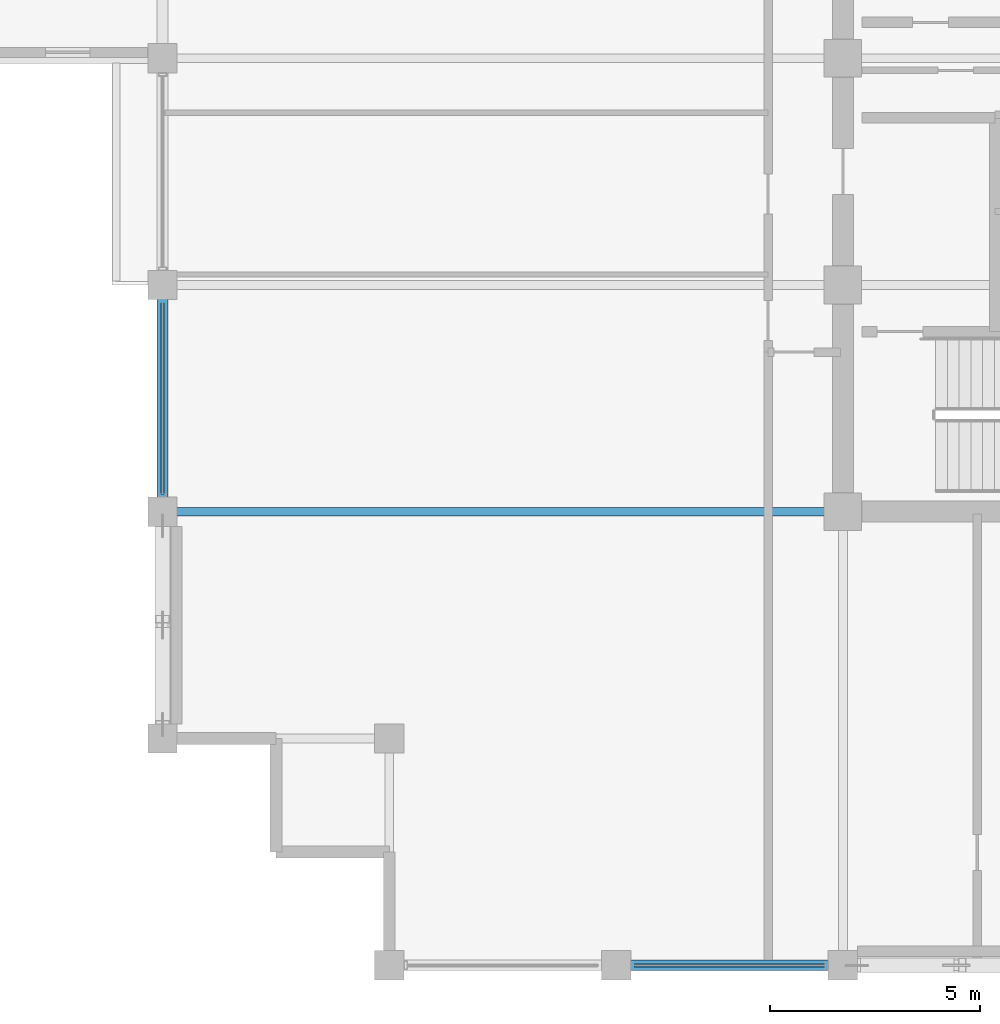
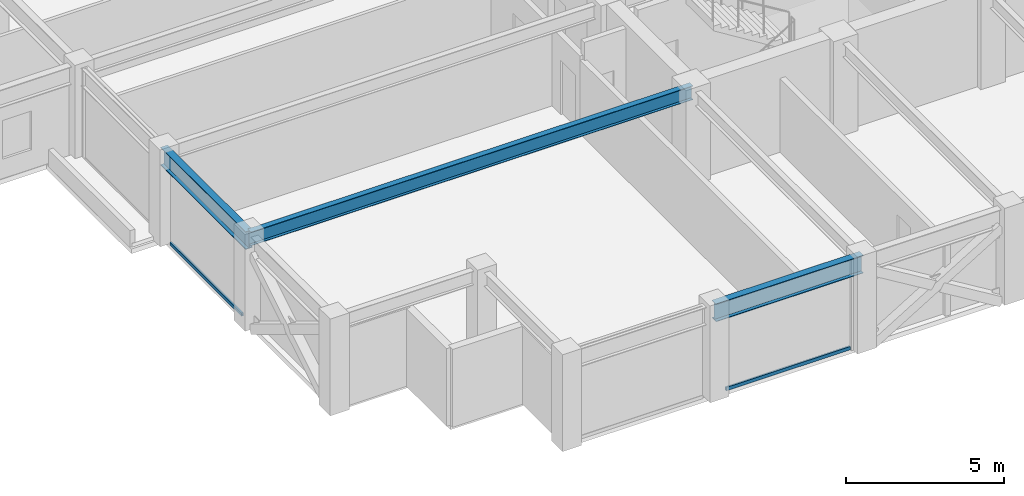
# One storey, part 3 of 31: 3 beams, 2 members, 2 elements without a shape of their own.
"""IFC4 building model written with IfcOpenShell, lengths in metres."""

import ifcopenshell
import ifcopenshell.guid

model = None  # the IFC model being written
_history = None  # IfcOwnerHistory: only IFC2X3 demands one
_inside = {}  # id of a spatial element -> (the spatial element, [elements in it])
_under = {}  # id of a project, library or spatial element -> (it, [spatial elements below it])
_declared = {}  # id of a project -> (the project, [libraries it declares])
_typed = {}  # id of a type object -> (the type object, [elements of that type])
_made_of = {}  # id of a material, layer set ... -> (it, [elements and type objects made of it])


def new_model(schema):
    """Start an empty IFC model of exactly this schema.

    Asked for "IFC4X3", IfcOpenShell would pick the latest addendum, in which some entities
    have other attributes; the version numbers below select the first issue.
    IFC2X3 requires an IfcOwnerHistory on every rooted entity: one is made here for all.
    """
    global model, _history
    if schema == "IFC4X3":
        model = ifcopenshell.file(schema_version=(4, 3, 0, 0))
    else:
        model = ifcopenshell.file(schema=schema)
    _inside.clear()
    _under.clear()
    _declared.clear()
    _typed.clear()
    _made_of.clear()
    _history = None
    if model.schema == "IFC2X3":
        org = make("IfcOrganization", Name="unknown")
        user = make(
            "IfcPersonAndOrganization",
            ThePerson=make("IfcPerson", FamilyName="unknown"),
            TheOrganization=org,
        )
        app = make(
            "IfcApplication",
            ApplicationDeveloper=org,
            Version="unknown",
            ApplicationFullName="unknown",
            ApplicationIdentifier="unknown",
        )
        _history = make(
            "IfcOwnerHistory",
            OwningUser=user,
            OwningApplication=app,
            ChangeAction="ADDED",
            CreationDate=0,
        )
    return model


def make(cls, **values):
    """One entity of the class cls with the attributes given. An attribute that is None is left unset."""
    return model.create_entity(
        cls, **{name: value for name, value in values.items() if value is not None}
    )


def rooted(cls, **values):
    """An entity with a GlobalId (a new one), such as an element, a storey or a relation."""
    return make(cls, GlobalId=ifcopenshell.guid.new(), OwnerHistory=_history, **values)


def si_unit(unit_type, name, prefix=None):
    """IfcSIUnit, for example si_unit("LENGTHUNIT", "METRE", prefix="MILLI")."""
    return make("IfcSIUnit", UnitType=unit_type, Prefix=prefix, Name=name)


def assignment(units):
    """IfcUnitAssignment: the units of a project."""
    return None if units is None else make("IfcUnitAssignment", Units=units)


def point(xyz):
    """IfcCartesianPoint."""
    return None if xyz is None else make("IfcCartesianPoint", Coordinates=xyz)


def direction(xyz):
    """IfcDirection."""
    return None if xyz is None else make("IfcDirection", DirectionRatios=xyz)


def frame(location, z_axis=None, x_axis=None):
    """IfcAxis2Placement3D, a coordinate frame: its origin and axes. An axis left out is left unset."""
    return make(
        "IfcAxis2Placement3D",
        Location=point(location),
        Axis=direction(z_axis),
        RefDirection=direction(x_axis),
    )


def frame_2d(location, x_axis=None):
    """IfcAxis2Placement2D, a coordinate frame in the plane: its origin and x axis."""
    return make(
        "IfcAxis2Placement2D", Location=point(location), RefDirection=direction(x_axis)
    )


def origin():
    """The frame at (0, 0, 0) with its axes left unset."""
    return frame((0.0, 0.0, 0.0))


def origin_2d():
    """The frame at (0, 0) in the plane with its x axis left unset."""
    return frame_2d((0.0, 0.0))


def place(relative_to, where):
    """IfcLocalPlacement: puts the frame where relative to a parent placement (None: the world)."""
    return make(
        "IfcLocalPlacement", PlacementRelTo=relative_to, RelativePlacement=where
    )


def context(
    kind, dimensions, precision=None, world=None, true_north=None, identifier=None
):
    """IfcGeometricRepresentationContext, for example the 3D "Model" context."""
    return make(
        "IfcGeometricRepresentationContext",
        ContextIdentifier=identifier,
        ContextType=kind,
        CoordinateSpaceDimension=dimensions,
        Precision=precision,
        WorldCoordinateSystem=world,
        TrueNorth=true_north,
    )


def subcontext(parent, identifier, kind, view, scale=None):
    """IfcGeometricRepresentationSubContext, for example "Body" below "Model"."""
    return make(
        "IfcGeometricRepresentationSubContext",
        ContextIdentifier=identifier,
        ContextType=kind,
        ParentContext=parent,
        TargetScale=scale,
        TargetView=view,
    )


def project(units=None, contexts=None):
    """IfcProject with its units and contexts."""
    return rooted(
        "IfcProject",
        Name="project",
        RepresentationContexts=contexts,
        UnitsInContext=assignment(units),
    )


def spatial(cls, under=None, at=None, **own):
    """A site, building, storey or space (cls), placed at a placement, below another one or the project."""
    s = rooted(cls, ObjectPlacement=at, **own)
    if under is not None:
        _under.setdefault(under.id(), (under, []))[1].append(s)
    return s


def profile(cls, at=None, kind="AREA", **sizes):
    """A parametric profile (cls). Its sizes go by their IFC names, for example OverallWidth=200.0."""
    return make(cls, ProfileType=kind, Position=at, **sizes)


def hollow_rectangle(**sizes):
    """IfcRectangleHollowProfileDef."""
    return profile("IfcRectangleHollowProfileDef", **sizes)


def i_section(**sizes):
    """IfcIShapeProfileDef."""
    return profile("IfcIShapeProfileDef", **sizes)


def extrude(swept, where, along, depth):
    """IfcExtrudedAreaSolid: the profile swept, set in the frame where, extruded along a direction by depth."""
    return make(
        "IfcExtrudedAreaSolid",
        SweptArea=swept,
        Position=where,
        ExtrudedDirection=direction(along),
        Depth=depth,
    )


def shape(context_of_items, identifier, shape_type, items):
    """IfcShapeRepresentation: the items that make up one representation, for example the "Body"."""
    return make(
        "IfcShapeRepresentation",
        ContextOfItems=context_of_items,
        RepresentationIdentifier=identifier,
        RepresentationType=shape_type,
        Items=items,
    )


def material(Name=None, Category=None):
    """IfcMaterial."""
    return make("IfcMaterial", Name=Name, Category=Category)


def layer(
    of_material, thickness, ventilated=None, Name=None, Category=None, Priority=None
):
    """IfcMaterialLayer: one layer of a wall or slab, of a material (None: an air gap)."""
    return make(
        "IfcMaterialLayer",
        Material=of_material,
        LayerThickness=thickness,
        IsVentilated=ventilated,
        Name=Name,
        Category=Category,
        Priority=Priority,
    )


def layer_set(layers, Name=None):
    """IfcMaterialLayerSet."""
    return make("IfcMaterialLayerSet", MaterialLayers=layers, LayerSetName=Name)


def material_profile(
    of_material, cross_section, Name=None, Category=None, Priority=None
):
    """IfcMaterialProfile: a cross section and its material."""
    return make(
        "IfcMaterialProfile",
        Name=Name,
        Material=of_material,
        Profile=cross_section,
        Priority=Priority,
        Category=Category,
    )


def profile_set(profiles, Name=None, composite=None):
    """IfcMaterialProfileSet."""
    return make(
        "IfcMaterialProfileSet",
        Name=Name,
        MaterialProfiles=profiles,
        CompositeProfile=composite,
    )


def made_of(thing, what):
    """Note that an element or type object is made of a material, layer set ...; save() writes the relation."""
    if what is not None:
        _made_of.setdefault(what.id(), (what, []))[1].append(thing)
    return thing


def type_object(cls, material=None, **own):
    """A type object (cls), such as IfcWallType, which elements share."""
    return made_of(rooted(cls, **own), material)


def element(
    cls,
    number,
    at=None,
    inside=None,
    cuts=None,
    type_object=None,
    material=None,
    context=None,
    identifier="Body",
    shape_type=None,
    held_by="IfcProductDefinitionShape",
    body=None,
    shapes=None,
    **own,
):
    """One element of the class cls, such as IfcWall. Its Tag is "e" and its number.

    at: its placement. inside: the storey or other place that contains it. cuts: it is an
    opening in that element (IfcRelVoidsElement). A single representation is given by context,
    identifier, shape_type and body (its items); several are given by shapes. held_by: the class
    of the entity that holds the representations. save() writes the other relations.
    """
    e = rooted(cls, Tag="e%d" % number, ObjectPlacement=at, **own)
    if body is not None:
        shapes = [shape(context, identifier, shape_type, body)]
    if shapes is not None:
        e.Representation = make(held_by, Representations=shapes)
    if inside is not None:
        _inside.setdefault(inside.id(), (inside, []))[1].append(e)
    if cuts is not None:
        rooted(
            "IfcRelVoidsElement", RelatingBuildingElement=cuts, RelatedOpeningElement=e
        )
    if type_object is not None:
        _typed.setdefault(type_object.id(), (type_object, []))[1].append(e)
    return made_of(e, material)


def aggregate(whole, parts):
    """IfcRelAggregates: a whole, such as a stair, and the parts it consists of."""
    return rooted("IfcRelAggregates", RelatingObject=whole, RelatedObjects=parts)


def save(model, path):
    """Write the relations noted so far, then the file.

    IfcRelAggregates (storeys below a building ...), IfcRelContainedInSpatialStructure (elements
    in a storey), IfcRelDefinesByType, IfcRelAssociatesMaterial and IfcRelDeclares: one each for
    every whole, place, type object, material and project.
    """
    for whole, parts in _under.values():
        aggregate(whole, parts)
    for where, things in _inside.values():
        rooted(
            "IfcRelContainedInSpatialStructure",
            RelatedElements=things,
            RelatingStructure=where,
        )
    for kind, things in _typed.values():
        rooted("IfcRelDefinesByType", RelatedObjects=things, RelatingType=kind)
    for what, things in _made_of.values():
        rooted("IfcRelAssociatesMaterial", RelatedObjects=things, RelatingMaterial=what)
    for by, libraries in _declared.values():
        rooted("IfcRelDeclares", RelatingContext=by, RelatedDefinitions=libraries)
    model.write(path)


model = new_model("IFC4")

# Units and contexts
model_context = context("Model", 3, precision=1e-05, world=origin(), true_north=direction((0.0, 1.0)))
body_context = subcontext(model_context, "Body", "Model", "MODEL_VIEW")
ifc_project = project(units=[si_unit("LENGTHUNIT", "METRE"), si_unit("AREAUNIT", "SQUARE_METRE"), si_unit("VOLUMEUNIT", "CUBIC_METRE"), si_unit("PLANEANGLEUNIT", "RADIAN"), si_unit("MASSUNIT", "GRAM", prefix="KILO")], contexts=[model_context])

# Site, building, storey
site_placement = place(None, origin())
site = spatial("IfcSite", under=ifc_project, at=site_placement, CompositionType="ELEMENT")
building_placement = place(site_placement, origin())
building = spatial("IfcBuilding", under=site, at=building_placement, Name="Surkhivell Harbour Commons", CompositionType="ELEMENT")
storey_placement = place(building_placement, frame((0.0, 0.0, 315.0)))
storey = spatial("IfcBuildingStorey", under=building, at=storey_placement, Name="L82", CompositionType="ELEMENT", Elevation=315.0)

# Beams
ifc_material_1 = material(Name="Steel S355", Category="steel")
ifc_material_profile_1 = material_profile(ifc_material_1, i_section(OverallWidth=0.2099609375, OverallDepth=0.537109375, WebThickness=0.0107421875, FlangeThickness=0.017333984375, at=origin_2d()), Name="UB533x210x101")
ifc_profile_set_1 = profile_set([ifc_material_profile_1], Name="Steel S355")
beam_type_1 = type_object("IfcBeamType", Name="BM-GRD-533B", PredefinedType="BEAM", material=ifc_profile_set_1)
beam_1_placement = place(storey_placement, frame((-27.0, -10.800048828125, 3.301513671875), z_axis=(1.0, 0.0, 0.0), x_axis=(0.0, 1.0, 0.0)))
element("IfcBeam", 1, at=beam_1_placement, inside=storey, type_object=beam_type_1, Name="L82 Floor Girder (-27.0,-10.8)", PredefinedType="BEAM", context=body_context, shape_type="SweptSolid", body=[
    extrude(i_section(OverallWidth=0.2099609375, OverallDepth=0.537109375, WebThickness=0.0107421875, FlangeThickness=0.017333984375, at=origin_2d()), origin(), (0.0, 0.0, 1.0), 16.199951171875),
])
ifc_material_profile_2 = material_profile(ifc_material_1, i_section(OverallWidth=0.256103515625, OverallDepth=0.693115234375, WebThickness=0.014404296875, FlangeThickness=0.023681640625, at=origin_2d()), Name="UB686x254x170")
ifc_profile_set_2 = profile_set([ifc_material_profile_2], Name="Steel S355")
beam_type_2 = type_object("IfcBeamType", Name="BM-SPN-686", PredefinedType="SPANDREL", material=ifc_profile_set_2)
beam_2_placement = place(storey_placement, frame((-27.0, -10.800048828125, 3.223388671875), z_axis=(0.0, 1.0, 0.0), x_axis=(-1.0, 0.0, 0.0)))
element("IfcBeam", 2, at=beam_2_placement, inside=storey, type_object=beam_type_2, Name="L82 Tube Spandrel (-27.0,-10.8)", PredefinedType="SPANDREL", context=body_context, shape_type="SweptSolid", body=[
    extrude(i_section(OverallWidth=0.256103515625, OverallDepth=0.693115234375, WebThickness=0.014404296875, FlangeThickness=0.023681640625, at=origin_2d()), origin(), (0.0, 0.0, 1.0), 5.400146484375),
])
beam_3_placement = place(storey_placement, frame((-16.199951171875, -21.60009765625, 3.223388671875), z_axis=(1.0, 0.0, 0.0), x_axis=(0.0, 1.0, 0.0)))
element("IfcBeam", 3, at=beam_3_placement, inside=storey, type_object=beam_type_2, Name="L82 Tube Spandrel (-16.2,-21.6)", PredefinedType="SPANDREL", context=body_context, shape_type="SweptSolid", body=[
    extrude(i_section(OverallWidth=0.256103515625, OverallDepth=0.693115234375, WebThickness=0.014404296875, FlangeThickness=0.023681640625, at=origin_2d()), origin(), (0.0, 0.0, 1.0), 5.39990234375),
])

# Curtain wall, member
ifc_material_2 = material(Name="Anodised pale-metal aluminium and insulated glazing", Category="aluminium")
ifc_layer = layer(ifc_material_2, 0.175048828125)
ifc_layer_set = layer_set([ifc_layer], Name="Anodised pale-metal aluminium and insulated glazing")
curtain_wall_type = type_object("IfcCurtainWallType", Name="CW-SYS-Z4", PredefinedType="NOTDEFINED", material=ifc_layer_set)
curtain_wall_1_placement = place(storey_placement, origin())
curtain_wall_1 = element("IfcCurtainWall", 4, at=curtain_wall_1_placement, inside=storey, type_object=curtain_wall_type, Name="L82 Curtain Wall CW-L82-E00S1", PredefinedType="NOTDEFINED")
ifc_material_3 = material(Name="Champagne anodised aluminium alloy 6063-T6", Category="aluminium")
ifc_material_profile_3 = material_profile(ifc_material_3, hollow_rectangle(XDim=0.070068359375, YDim=0.1298828125, WallThickness=0.00341796875, at=origin_2d()), Name="ALU-TRAN-70x130")
ifc_profile_set_3 = profile_set([ifc_material_profile_3], Name="Champagne anodised aluminium alloy 6063-T6")
member_type = type_object("IfcMemberType", Name="CWT-130", PredefinedType="USERDEFINED", material=ifc_profile_set_3)
member_1_placement = place(storey_placement, frame((-15.77294921875, -21.60009765625, 0.06494140625), z_axis=(1.0, 0.0, 0.0), x_axis=(0.0, 1.0, 0.0)))
member_1 = element("IfcMember", 5, at=member_1_placement, type_object=member_type, Name="CW-Z4 transom 2.1", ObjectType="TRANSOM", PredefinedType="USERDEFINED", context=body_context, shape_type="SweptSolid", body=[
    extrude(hollow_rectangle(XDim=0.070068359375, YDim=0.1298828125, WallThickness=0.00341796875, at=origin_2d()), origin(), (0.0, 0.0, 1.0), 4.5458984375),
])
aggregate(curtain_wall_1, [member_1])

curtain_wall_2_placement = place(storey_placement, origin())
curtain_wall_2 = element("IfcCurtainWall", 6, at=curtain_wall_2_placement, inside=storey, type_object=curtain_wall_type, Name="L82 Curtain Wall CW-L82-E12R1S1", PredefinedType="NOTDEFINED")
member_2_placement = place(storey_placement, frame((-27.0, -10.373046875, 0.06494140625), z_axis=(0.0, 1.0, 0.0), x_axis=(-1.0, 0.0, 0.0)))
member_2 = element("IfcMember", 7, at=member_2_placement, type_object=member_type, Name="CW-Z4 transom 1.1", ObjectType="TRANSOM", PredefinedType="USERDEFINED", context=body_context, shape_type="SweptSolid", body=[
    extrude(hollow_rectangle(XDim=0.070068359375, YDim=0.1298828125, WallThickness=0.00341796875, at=origin_2d()), origin(), (0.0, 0.0, 1.0), 4.546142578125),
])
aggregate(curtain_wall_2, [member_2])

save(model, "model.ifc")
